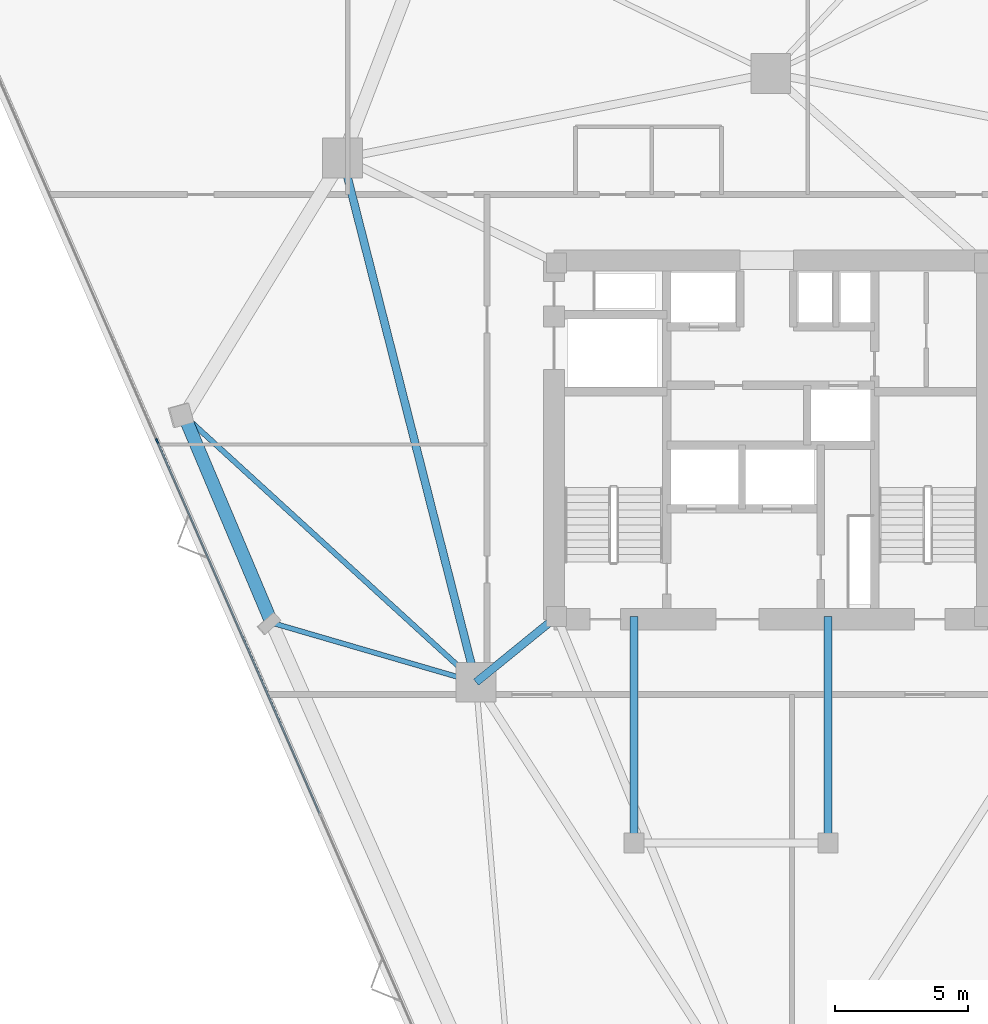
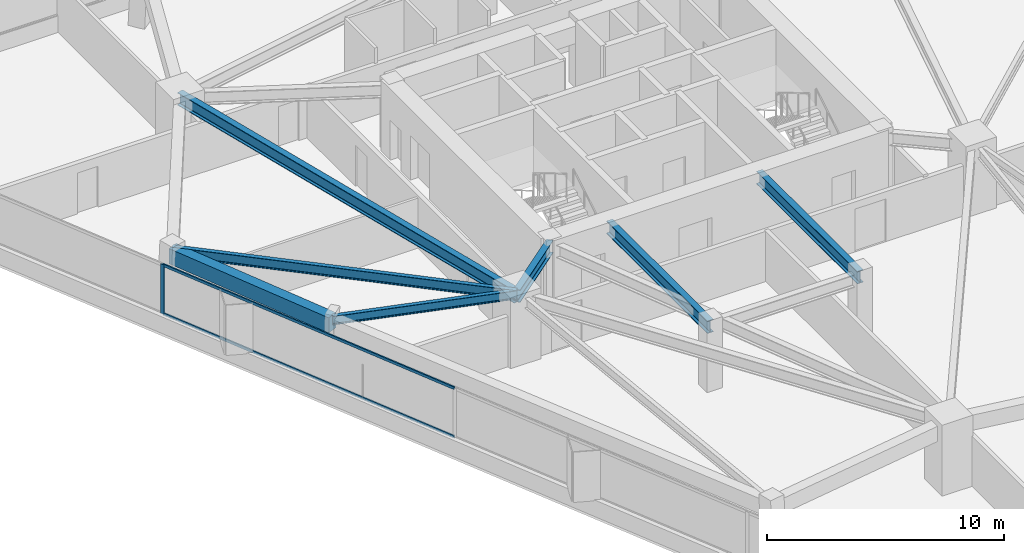
# One storey, part 4 of 14: 7 beams, 3 members, 1 element without a shape of its own.
"""IFC4 building model written with IfcOpenShell, lengths in metres."""

from ifc_helpers import new_model, si_unit, direction, frame, origin, origin_2d, place, context, subcontext, project, spatial, rectangle, i_section, extrude, material, layer, layer_set, material_profile, profile_set, type_object, element, aggregate, save


model = new_model("IFC4")

# Units and contexts
model_context = context("Model", 3, precision=1e-05, world=origin(), true_north=direction((0.0, 1.0)))
body_context = subcontext(model_context, "Body", "Model", "MODEL_VIEW")
ifc_project = project(units=[si_unit("LENGTHUNIT", "METRE"), si_unit("AREAUNIT", "SQUARE_METRE"), si_unit("VOLUMEUNIT", "CUBIC_METRE"), si_unit("PLANEANGLEUNIT", "RADIAN"), si_unit("MASSUNIT", "GRAM", prefix="KILO")], contexts=[model_context])

# Site, building, storey
site_placement = place(None, origin())
site = spatial("IfcSite", under=ifc_project, at=site_placement, CompositionType="ELEMENT")
building_placement = place(site_placement, origin())
building = spatial("IfcBuilding", under=site, at=building_placement, Name="Talyreon Biosciences Tower", CompositionType="ELEMENT")
storey_placement = place(building_placement, frame((0.0, 0.0, 130.85009765625)))
storey = spatial("IfcBuildingStorey", under=building, at=storey_placement, Name="L34", CompositionType="ELEMENT", Elevation=130.85009765625)

# Curtain wall, members
ifc_material_1 = material(Name="Thermally broken aluminium and low-E glazing", Category="aluminium")
ifc_layer = layer(ifc_material_1, 0.18505859375)
ifc_layer_set = layer_set([ifc_layer], Name="Thermally broken aluminium and low-E glazing")
curtain_wall_type = type_object("IfcCurtainWallType", Name="CurtainWall_Zone3Bioprocess", PredefinedType="NOTDEFINED", material=ifc_layer_set)
curtain_wall_placement = place(storey_placement, origin())
curtain_wall = element("IfcCurtainWall", 1, at=curtain_wall_placement, inside=storey, type_object=curtain_wall_type, Name="L34 Unitised Curtain Wall FCW-L34-00", PredefinedType="NOTDEFINED")
ifc_material_2 = material(Name="Anodised thermally broken aluminium", Category="aluminium")
ifc_material_profile_1 = material_profile(ifc_material_2, rectangle(XDim=0.06494140625, YDim=0.179931640625, at=origin_2d()), Name="ALUM MULLION 65x180")
ifc_profile_set_1 = profile_set([ifc_material_profile_1], Name="Anodised thermally broken aluminium")
member_type_1 = type_object("IfcMemberType", Name="CWMullion_65x180", PredefinedType="MULLION", material=ifc_profile_set_1)
member_1_placement = place(storey_placement, frame((42.915283203125, 67.959716796875, 0.809814453125), z_axis=(0.0, 0.0, 1.0), x_axis=(-0.916489607057, -0.400058495919, 0.0)))
member_1 = element("IfcMember", 2, at=member_1_placement, type_object=member_type_1, Name="CW4 mullion 4", PredefinedType="MULLION", context=body_context, shape_type="SweptSolid", body=[
    extrude(rectangle(XDim=0.06494140625, YDim=0.179931640625, at=origin_2d()), origin(), (0.0, 0.0, 1.0), 2.565185546875),
])
ifc_material_profile_2 = material_profile(ifc_material_2, rectangle(XDim=0.06494140625, YDim=0.139892578125, at=origin_2d()), Name="ALUM TRANSOM 65x140")
ifc_profile_set_2 = profile_set([ifc_material_profile_2], Name="Anodised thermally broken aluminium")
member_type_2 = type_object("IfcMemberType", Name="CWTransom_65x140", PredefinedType="USERDEFINED", material=ifc_profile_set_2)
member_2_placement = place(storey_placement, frame((49.032958984375, 53.944580078125, 0.84228515625), z_axis=(-0.400056615307, 0.916490427964, 0.0), x_axis=(-0.916490427964, -0.400056615307, 0.0)))
member_2 = element("IfcMember", 3, at=member_2_placement, type_object=member_type_2, Name="CW4 transom 3.1", ObjectType="TRANSOM", PredefinedType="USERDEFINED", context=body_context, shape_type="SweptSolid", body=[
    extrude(rectangle(XDim=0.06494140625, YDim=0.139892578125, at=origin_2d()), origin(), (0.0, 0.0, 1.0), 15.259765625),
])
member_3_placement = place(storey_placement, frame((49.032958984375, 53.944580078125, 3.34228515625), z_axis=(-0.400056615307, 0.916490427964, 0.0), x_axis=(-0.916490427964, -0.400056615307, 0.0)))
member_3 = element("IfcMember", 4, at=member_3_placement, type_object=member_type_2, Name="CW4 transom 3.2", ObjectType="TRANSOM", PredefinedType="USERDEFINED", context=body_context, shape_type="SweptSolid", body=[
    extrude(rectangle(XDim=0.06494140625, YDim=0.139892578125, at=origin_2d()), origin(), (0.0, 0.0, 1.0), 15.259765625),
])
aggregate(curtain_wall, [member_1, member_2, member_3])

# Beams
ifc_material_3 = material(Name="Precast concrete C45/55", Category="concrete")
ifc_material_profile_3 = material_profile(ifc_material_3, rectangle(XDim=0.5, YDim=0.780029296875, at=origin_2d()), Name="RCB 500x780")
ifc_profile_set_3 = profile_set([ifc_material_profile_3], Name="Precast concrete C45/55")
beam_type_1 = type_object("IfcBeamType", Name="ExpressedSpandrel_500x780", PredefinedType="SPANDREL", material=ifc_profile_set_3)
beam_1_placement = place(storey_placement, frame((43.93701171875, 68.908203125, 2.98486328125), z_axis=(0.389051021414, -0.921216208464, 0.0), x_axis=(0.921216208464, 0.389051021414, 0.0)))
element("IfcBeam", 5, at=beam_1_placement, inside=storey, type_object=beam_type_1, Name="L34 Expressed Horizontal Concrete Spandrel 10", PredefinedType="SPANDREL", context=body_context, shape_type="SweptSolid", body=[
    extrude(rectangle(XDim=0.5, YDim=0.780029296875, at=origin_2d()), origin(), (0.0, 0.0, 1.0), 8.452880859375),
])
ifc_material_4 = material(Name="Steel SM355", Category="steel")
ifc_material_profile_4 = material_profile(ifc_material_4, i_section(OverallWidth=0.300048828125, OverallDepth=0.64990234375, WebThickness=0.01611328125, FlangeThickness=0.031005859375, FilletRadius=0.027099609375, at=origin_2d()), Name="HE650B")
ifc_profile_set_4 = profile_set([ifc_material_profile_4], Name="Steel SM355")
beam_type_2 = type_object("IfcBeamType", Name="SteelBeam_HE650B", PredefinedType="BEAM", material=ifc_profile_set_4)
beam_2_placement = place(storey_placement, frame((49.897705078125, 78.5986328125, 3.0498046875), z_axis=(0.246537082299, -0.969133358755, 0.0), x_axis=(0.969133358755, 0.246537082299, 0.0)))
element("IfcBeam", 6, at=beam_2_placement, inside=storey, type_object=beam_type_2, Name="L34 Mega-Ring Girder 5", PredefinedType="BEAM", context=body_context, shape_type="SweptSolid", body=[
    extrude(i_section(OverallWidth=0.300048828125, OverallDepth=0.64990234375, WebThickness=0.01611328125, FlangeThickness=0.031005859375, FilletRadius=0.027099609375, at=origin_2d()), origin(), (0.0, 0.0, 1.0), 20.34619140625),
])
beam_3_placement = place(storey_placement, frame((57.949951171875, 61.35009765625, 3.0498046875), z_axis=(-0.775755154013, -0.631034025249, 0.0), x_axis=(0.631034025249, -0.775755154013, 0.0)))
element("IfcBeam", 7, at=beam_3_placement, inside=storey, type_object=beam_type_2, Name="L34 Radial Primary Girder 6", PredefinedType="BEAM", context=body_context, shape_type="SweptSolid", body=[
    extrude(i_section(OverallWidth=0.300048828125, OverallDepth=0.64990234375, WebThickness=0.01611328125, FlangeThickness=0.031005859375, FilletRadius=0.027099609375, at=origin_2d()), origin(), (0.0, 0.0, 1.0), 3.913818359375),
])
for number, where, z_axis, x_axis, name in (
    (8, (60.85009765625, 52.840087890625, 3.0498046875), (0.0, 1.0, 0.0), (-1.0, 0.0, 0.0), "L34 Crown Shaft Tie Girder W"),
    (9, (68.14990234375, 52.840087890625, 3.0498046875), (0.0, 1.0, 0.0), (-1.0, 0.0, 0.0), "L34 Crown Shaft Tie Girder E"),
):
    element("IfcBeam", number, at=place(storey_placement, frame(where, z_axis=z_axis, x_axis=x_axis)), inside=storey, type_object=beam_type_2, Name=name, PredefinedType="BEAM", context=body_context, shape_type="SweptSolid", body=[
        extrude(i_section(OverallWidth=0.300048828125, OverallDepth=0.64990234375, WebThickness=0.01611328125, FlangeThickness=0.031005859375, FilletRadius=0.027099609375, at=origin_2d()), origin(), (0.0, 0.0, 1.0), 8.510009765625),
    ])
ifc_material_profile_5 = material_profile(ifc_material_4, i_section(OverallWidth=0.18994140625, OverallDepth=0.449951171875, WebThickness=0.009521484375, FlangeThickness=0.0146484375, FilletRadius=0.02099609375, at=origin_2d()), Name="IPE450")
ifc_profile_set_5 = profile_set([ifc_material_profile_5], Name="Steel SM355")
beam_type_3 = type_object("IfcBeamType", Name="SteelJoist_IPE450", PredefinedType="JOIST", material=ifc_profile_set_5)
beam_4_placement = place(storey_placement, frame((54.913818359375, 58.88037109375, 3.14990234375), z_axis=(-0.960048129977, 0.279834930141, 0.0), x_axis=(-0.279834930141, -0.960048129977, 0.0)))
element("IfcBeam", 10, at=beam_4_placement, inside=storey, type_object=beam_type_3, Name="L34 Radial Composite Floor Joist PL-SW", PredefinedType="JOIST", context=body_context, shape_type="SweptSolid", body=[
    extrude(i_section(OverallWidth=0.18994140625, OverallDepth=0.449951171875, WebThickness=0.009521484375, FlangeThickness=0.0146484375, FilletRadius=0.02099609375, at=origin_2d()), origin(), (0.0, 0.0, 1.0), 8.008056640625),
])
ifc_material_profile_6 = material_profile(ifc_material_4, i_section(OverallWidth=0.199951171875, OverallDepth=0.5, WebThickness=0.01025390625, FlangeThickness=0.01611328125, FilletRadius=0.02099609375, at=origin_2d()), Name="IPE500")
ifc_profile_set_6 = profile_set([ifc_material_profile_6], Name="Steel SM355")
beam_type_4 = type_object("IfcBeamType", Name="SteelJoist_IPE500", PredefinedType="JOIST", material=ifc_profile_set_6)
beam_5_placement = place(storey_placement, frame((54.913818359375, 58.88037109375, 3.125), z_axis=(-0.738300248431, 0.674472195993, 0.0), x_axis=(-0.674472195993, -0.738300248431, 0.0)))
element("IfcBeam", 11, at=beam_5_placement, inside=storey, type_object=beam_type_4, Name="L34 Radial Composite Floor Joist PC-SW1", PredefinedType="JOIST", context=body_context, shape_type="SweptSolid", body=[
    extrude(i_section(OverallWidth=0.199951171875, OverallDepth=0.5, WebThickness=0.01025390625, FlangeThickness=0.01611328125, FilletRadius=0.02099609375, at=origin_2d()), origin(), (0.0, 0.0, 1.0), 14.86767578125),
])

save(model, "model.ifc")
